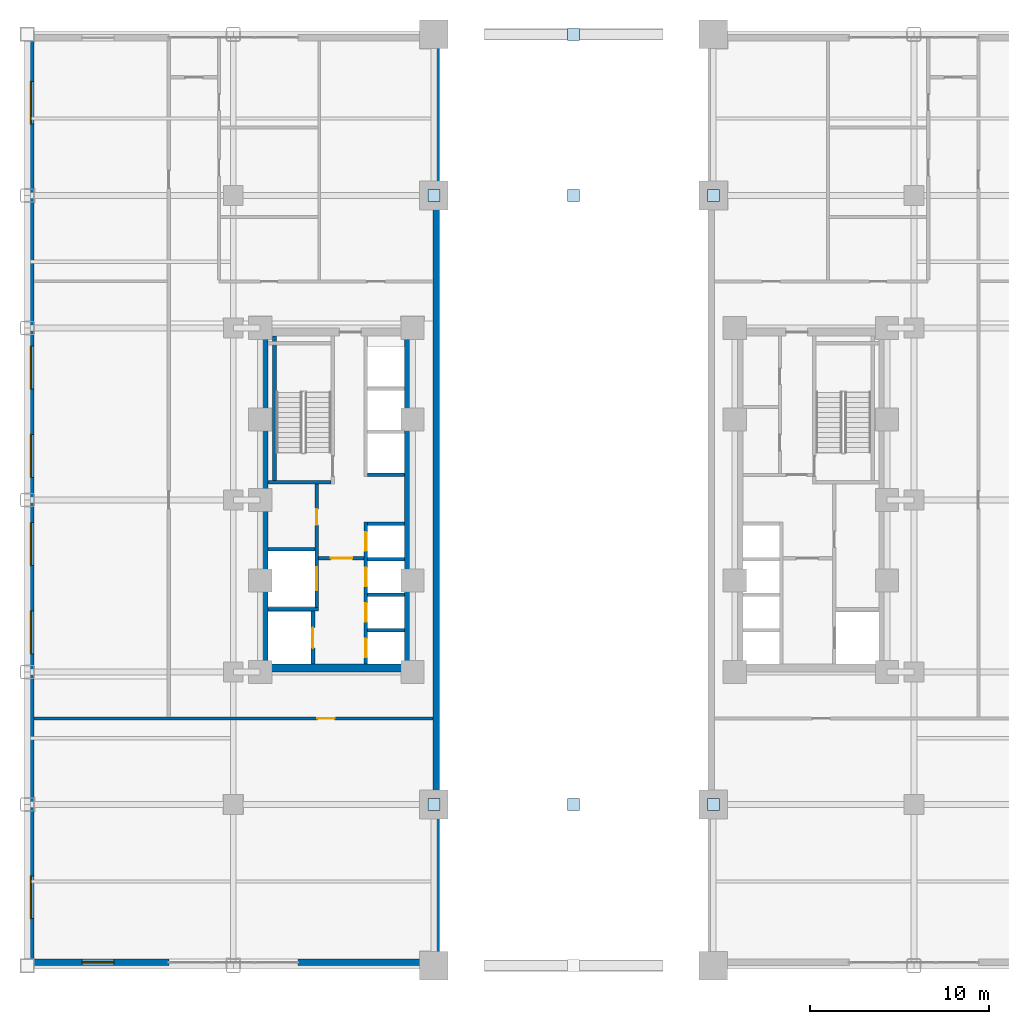
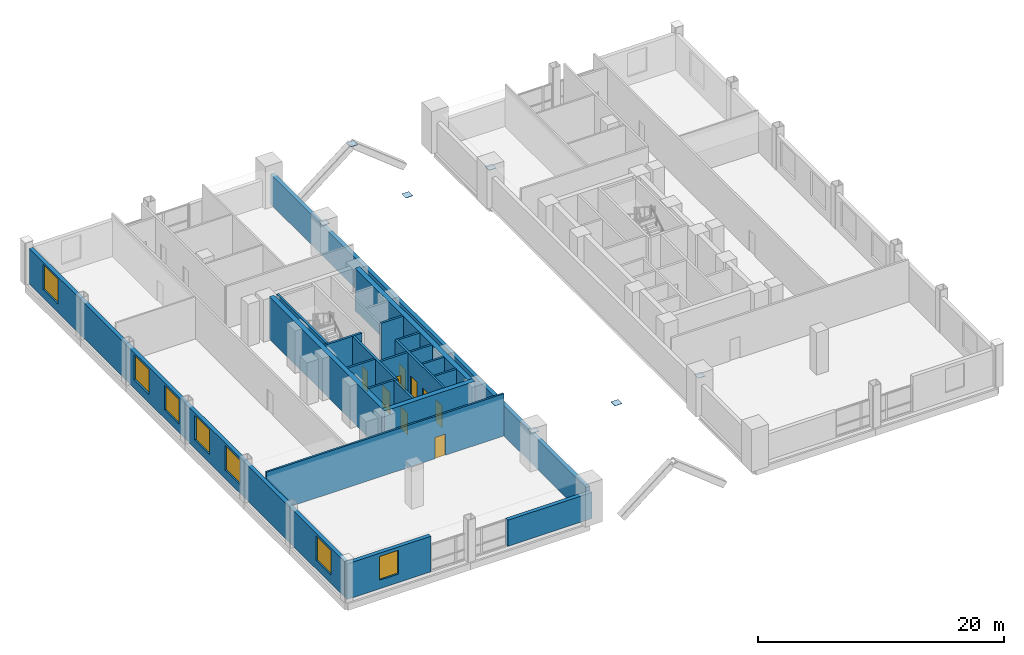
# One storey, part 3 of 14: 21 walls, 9 doors, 7 plates, 7 windows, 16 openings.
"""IFC4 building model written with IfcOpenShell, lengths in metres."""

import ifcopenshell
import ifcopenshell.guid

model = None  # the IFC model being written
_history = None  # IfcOwnerHistory: only IFC2X3 demands one
_inside = {}  # id of a spatial element -> (the spatial element, [elements in it])
_under = {}  # id of a project, library or spatial element -> (it, [spatial elements below it])
_declared = {}  # id of a project -> (the project, [libraries it declares])
_typed = {}  # id of a type object -> (the type object, [elements of that type])
_made_of = {}  # id of a material, layer set ... -> (it, [elements and type objects made of it])


def new_model(schema):
    """Start an empty IFC model of exactly this schema.

    Asked for "IFC4X3", IfcOpenShell would pick the latest addendum, in which some entities
    have other attributes; the version numbers below select the first issue.
    IFC2X3 requires an IfcOwnerHistory on every rooted entity: one is made here for all.
    """
    global model, _history
    if schema == "IFC4X3":
        model = ifcopenshell.file(schema_version=(4, 3, 0, 0))
    else:
        model = ifcopenshell.file(schema=schema)
    _inside.clear()
    _under.clear()
    _declared.clear()
    _typed.clear()
    _made_of.clear()
    _history = None
    if model.schema == "IFC2X3":
        org = make("IfcOrganization", Name="unknown")
        user = make(
            "IfcPersonAndOrganization",
            ThePerson=make("IfcPerson", FamilyName="unknown"),
            TheOrganization=org,
        )
        app = make(
            "IfcApplication",
            ApplicationDeveloper=org,
            Version="unknown",
            ApplicationFullName="unknown",
            ApplicationIdentifier="unknown",
        )
        _history = make(
            "IfcOwnerHistory",
            OwningUser=user,
            OwningApplication=app,
            ChangeAction="ADDED",
            CreationDate=0,
        )
    return model


def make(cls, **values):
    """One entity of the class cls with the attributes given. An attribute that is None is left unset."""
    return model.create_entity(
        cls, **{name: value for name, value in values.items() if value is not None}
    )


def rooted(cls, **values):
    """An entity with a GlobalId (a new one), such as an element, a storey or a relation."""
    return make(cls, GlobalId=ifcopenshell.guid.new(), OwnerHistory=_history, **values)


def si_unit(unit_type, name, prefix=None):
    """IfcSIUnit, for example si_unit("LENGTHUNIT", "METRE", prefix="MILLI")."""
    return make("IfcSIUnit", UnitType=unit_type, Prefix=prefix, Name=name)


def assignment(units):
    """IfcUnitAssignment: the units of a project."""
    return None if units is None else make("IfcUnitAssignment", Units=units)


def point(xyz):
    """IfcCartesianPoint."""
    return None if xyz is None else make("IfcCartesianPoint", Coordinates=xyz)


def direction(xyz):
    """IfcDirection."""
    return None if xyz is None else make("IfcDirection", DirectionRatios=xyz)


def frame(location, z_axis=None, x_axis=None):
    """IfcAxis2Placement3D, a coordinate frame: its origin and axes. An axis left out is left unset."""
    return make(
        "IfcAxis2Placement3D",
        Location=point(location),
        Axis=direction(z_axis),
        RefDirection=direction(x_axis),
    )


def frame_2d(location, x_axis=None):
    """IfcAxis2Placement2D, a coordinate frame in the plane: its origin and x axis."""
    return make(
        "IfcAxis2Placement2D", Location=point(location), RefDirection=direction(x_axis)
    )


def origin():
    """The frame at (0, 0, 0) with its axes left unset."""
    return frame((0.0, 0.0, 0.0))


def origin_2d():
    """The frame at (0, 0) in the plane with its x axis left unset."""
    return frame_2d((0.0, 0.0))


def place(relative_to, where):
    """IfcLocalPlacement: puts the frame where relative to a parent placement (None: the world)."""
    return make(
        "IfcLocalPlacement", PlacementRelTo=relative_to, RelativePlacement=where
    )


def context(
    kind, dimensions, precision=None, world=None, true_north=None, identifier=None
):
    """IfcGeometricRepresentationContext, for example the 3D "Model" context."""
    return make(
        "IfcGeometricRepresentationContext",
        ContextIdentifier=identifier,
        ContextType=kind,
        CoordinateSpaceDimension=dimensions,
        Precision=precision,
        WorldCoordinateSystem=world,
        TrueNorth=true_north,
    )


def subcontext(parent, identifier, kind, view, scale=None):
    """IfcGeometricRepresentationSubContext, for example "Body" below "Model"."""
    return make(
        "IfcGeometricRepresentationSubContext",
        ContextIdentifier=identifier,
        ContextType=kind,
        ParentContext=parent,
        TargetScale=scale,
        TargetView=view,
    )


def project(units=None, contexts=None):
    """IfcProject with its units and contexts."""
    return rooted(
        "IfcProject",
        Name="project",
        RepresentationContexts=contexts,
        UnitsInContext=assignment(units),
    )


def spatial(cls, under=None, at=None, **own):
    """A site, building, storey or space (cls), placed at a placement, below another one or the project."""
    s = rooted(cls, ObjectPlacement=at, **own)
    if under is not None:
        _under.setdefault(under.id(), (under, []))[1].append(s)
    return s


def profile(cls, at=None, kind="AREA", **sizes):
    """A parametric profile (cls). Its sizes go by their IFC names, for example OverallWidth=200.0."""
    return make(cls, ProfileType=kind, Position=at, **sizes)


def rectangle(**sizes):
    """IfcRectangleProfileDef."""
    return profile("IfcRectangleProfileDef", **sizes)


def extrude(swept, where, along, depth):
    """IfcExtrudedAreaSolid: the profile swept, set in the frame where, extruded along a direction by depth."""
    return make(
        "IfcExtrudedAreaSolid",
        SweptArea=swept,
        Position=where,
        ExtrudedDirection=direction(along),
        Depth=depth,
    )


def shape(context_of_items, identifier, shape_type, items):
    """IfcShapeRepresentation: the items that make up one representation, for example the "Body"."""
    return make(
        "IfcShapeRepresentation",
        ContextOfItems=context_of_items,
        RepresentationIdentifier=identifier,
        RepresentationType=shape_type,
        Items=items,
    )


def source(mapping_origin, context_of_items, identifier, shape_type, items):
    """IfcRepresentationMap: a shape defined once, which mapped items show again and again."""
    return make(
        "IfcRepresentationMap",
        MappingOrigin=mapping_origin,
        MappedRepresentation=shape(context_of_items, identifier, shape_type, items),
    )


def transform(
    local_origin,
    x_axis=None,
    y_axis=None,
    z_axis=None,
    scale=None,
    scale2=None,
    scale3=None,
    uniform=True,
):
    """IfcCartesianTransformationOperator3D, or its non-uniform kind. x_axis, y_axis, z_axis: its Axis1, 2, 3."""
    if uniform:
        return make(
            "IfcCartesianTransformationOperator3D",
            Axis1=direction(x_axis),
            Axis2=direction(y_axis),
            LocalOrigin=point(local_origin),
            Scale=scale,
            Axis3=direction(z_axis),
        )
    return make(
        "IfcCartesianTransformationOperator3DnonUniform",
        Axis1=direction(x_axis),
        Axis2=direction(y_axis),
        LocalOrigin=point(local_origin),
        Scale=scale,
        Axis3=direction(z_axis),
        Scale2=scale2,
        Scale3=scale3,
    )


def mapped(mapping_source, mapping_target):
    """IfcMappedItem: shows the shape of a source again, moved by a transform."""
    return make(
        "IfcMappedItem", MappingSource=mapping_source, MappingTarget=mapping_target
    )


def material(Name=None, Category=None):
    """IfcMaterial."""
    return make("IfcMaterial", Name=Name, Category=Category)


def layer(
    of_material, thickness, ventilated=None, Name=None, Category=None, Priority=None
):
    """IfcMaterialLayer: one layer of a wall or slab, of a material (None: an air gap)."""
    return make(
        "IfcMaterialLayer",
        Material=of_material,
        LayerThickness=thickness,
        IsVentilated=ventilated,
        Name=Name,
        Category=Category,
        Priority=Priority,
    )


def layer_set(layers, Name=None):
    """IfcMaterialLayerSet."""
    return make("IfcMaterialLayerSet", MaterialLayers=layers, LayerSetName=Name)


def made_of(thing, what):
    """Note that an element or type object is made of a material, layer set ...; save() writes the relation."""
    if what is not None:
        _made_of.setdefault(what.id(), (what, []))[1].append(thing)
    return thing


def type_object(cls, material=None, **own):
    """A type object (cls), such as IfcWallType, which elements share."""
    return made_of(rooted(cls, **own), material)


def type_shapes(of_type, sources):
    """Give a type object the sources (RepresentationMaps) that its elements show as mapped items."""
    of_type.RepresentationMaps = sources


def element(
    cls,
    number,
    at=None,
    inside=None,
    cuts=None,
    type_object=None,
    material=None,
    context=None,
    identifier="Body",
    shape_type=None,
    held_by="IfcProductDefinitionShape",
    body=None,
    shapes=None,
    **own,
):
    """One element of the class cls, such as IfcWall. Its Tag is "e" and its number.

    at: its placement. inside: the storey or other place that contains it. cuts: it is an
    opening in that element (IfcRelVoidsElement). A single representation is given by context,
    identifier, shape_type and body (its items); several are given by shapes. held_by: the class
    of the entity that holds the representations. save() writes the other relations.
    """
    e = rooted(cls, Tag="e%d" % number, ObjectPlacement=at, **own)
    if body is not None:
        shapes = [shape(context, identifier, shape_type, body)]
    if shapes is not None:
        e.Representation = make(held_by, Representations=shapes)
    if inside is not None:
        _inside.setdefault(inside.id(), (inside, []))[1].append(e)
    if cuts is not None:
        rooted(
            "IfcRelVoidsElement", RelatingBuildingElement=cuts, RelatedOpeningElement=e
        )
    if type_object is not None:
        _typed.setdefault(type_object.id(), (type_object, []))[1].append(e)
    return made_of(e, material)


def fill(opening, filler):
    """IfcRelFillsElement: the door or window that sits in an opening."""
    return rooted(
        "IfcRelFillsElement",
        RelatingOpeningElement=opening,
        RelatedBuildingElement=filler,
    )


def aggregate(whole, parts):
    """IfcRelAggregates: a whole, such as a stair, and the parts it consists of."""
    return rooted("IfcRelAggregates", RelatingObject=whole, RelatedObjects=parts)


def save(model, path):
    """Write the relations noted so far, then the file.

    IfcRelAggregates (storeys below a building ...), IfcRelContainedInSpatialStructure (elements
    in a storey), IfcRelDefinesByType, IfcRelAssociatesMaterial and IfcRelDeclares: one each for
    every whole, place, type object, material and project.
    """
    for whole, parts in _under.values():
        aggregate(whole, parts)
    for where, things in _inside.values():
        rooted(
            "IfcRelContainedInSpatialStructure",
            RelatedElements=things,
            RelatingStructure=where,
        )
    for kind, things in _typed.values():
        rooted("IfcRelDefinesByType", RelatedObjects=things, RelatingType=kind)
    for what, things in _made_of.values():
        rooted("IfcRelAssociatesMaterial", RelatedObjects=things, RelatingMaterial=what)
    for by, libraries in _declared.values():
        rooted("IfcRelDeclares", RelatingContext=by, RelatedDefinitions=libraries)
    model.write(path)


model = new_model("IFC4")

# Units and contexts
model_context = context("Model", 3, precision=1e-05, world=origin(), true_north=direction((0.0, 1.0)))
body_context = subcontext(model_context, "Body", "Model", "MODEL_VIEW")
ifc_project = project(units=[si_unit("LENGTHUNIT", "METRE"), si_unit("AREAUNIT", "SQUARE_METRE"), si_unit("VOLUMEUNIT", "CUBIC_METRE"), si_unit("PLANEANGLEUNIT", "RADIAN"), si_unit("MASSUNIT", "GRAM", prefix="KILO")], contexts=[model_context])

# Site, building, storey
site_placement = place(None, origin())
site = spatial("IfcSite", under=ifc_project, at=site_placement, CompositionType="ELEMENT")
building_placement = place(site_placement, origin())
building = spatial("IfcBuilding", under=site, at=building_placement, Name="Nuvemarco Arch Tower", CompositionType="ELEMENT")
storey_placement = place(building_placement, frame((0.0, 0.0, 13.800048828125)))
storey = spatial("IfcBuildingStorey", under=building, at=storey_placement, Name="L03", CompositionType="ELEMENT", Elevation=13.800048828125)

# Plates
ifc_material_1 = material(Name="Steel S355", Category="steel")
ifc_layer_1 = layer(ifc_material_1, 0.030029296875, Name="PL-CAP-650")
ifc_layer_set_1 = layer_set([ifc_layer_1], Name="Steel S355")
plate_type_1 = type_object("IfcPlateType", Name="PL-CAP-650", PredefinedType="SHEET", material=ifc_layer_set_1)
shared_shape_1 = source(origin(), body_context, "Body", "SweptSolid", [
    extrude(rectangle(XDim=0.669921875, YDim=0.669921875, at=origin_2d()), origin(), (0.0, 0.0, 1.0), 0.030029296875),
])
type_shapes(plate_type_1, [shared_shape_1])
for number, where, z_axis, x_axis, name in (
    (1, (-7.800048828125, -17.0, 3.384765625), (0.0, 0.0, 1.0), (1.0, 0.0, 0.0), "Hollow steel end-cap plate AT_DG_L04_-17.0_0_C0"),
    (2, (0.0, -17.0, 3.384765625), (0.0, 0.0, 1.0), (1.0, 0.0, 0.0), "Hollow steel end-cap plate AT_DG_L04_-17.0_1_C1"),
    (3, (7.800048828125, -17.0, 3.384765625), (0.0, 0.0, 1.0), (1.0, 0.0, 0.0), "Hollow steel end-cap plate AT_DG_L04_-17.0_3_C1"),
    (4, (-7.800048828125, 17.0, 3.384765625), (0.0, 0.0, 1.0), (1.0, 0.0, 0.0), "Hollow steel end-cap plate AT_DG_L04_+17.0_0_C0"),
    (5, (0.0, 17.0, 3.384765625), (0.0, 0.0, 1.0), (1.0, 0.0, 0.0), "Hollow steel end-cap plate AT_DG_L04_+17.0_1_C1"),
    (6, (7.800048828125, 17.0, 3.384765625), (0.0, 0.0, 1.0), (1.0, 0.0, 0.0), "Hollow steel end-cap plate AT_DG_L04_+17.0_3_C1"),
):
    element("IfcPlate", number, at=place(storey_placement, frame(where, z_axis=z_axis, x_axis=x_axis)), inside=storey, type_object=plate_type_1, Name=name, PredefinedType="SHEET", context=body_context, shape_type="MappedRepresentation", body=[
        mapped(shared_shape_1, transform((0.0, 0.0, 0.0), scale=1.0)),
    ])
ifc_layer_2 = layer(ifc_material_1, 0.030029296875, Name="PL-CAP-650-EXT")
ifc_layer_set_2 = layer_set([ifc_layer_2], Name="Steel S355")
plate_type_2 = type_object("IfcPlateType", Name="PL-CAP-650-EXT", PredefinedType="SHEET", material=ifc_layer_set_2)
shared_shape_2 = source(origin(), body_context, "Body", "SweptSolid", [
    extrude(rectangle(XDim=0.669921875, YDim=0.669921875, at=origin_2d()), origin(), (0.0, 0.0, 1.0), 0.030029296875),
])
type_shapes(plate_type_2, [shared_shape_2])
plate_placement = place(storey_placement, frame((0.0, 26.0, 2.98486328125), z_axis=(0.0, 0.0, 1.0), x_axis=(1.0, 0.0, 0.0)))
element("IfcPlate", 7, at=plate_placement, inside=storey, type_object=plate_type_2, Name="Hollow steel end-cap plate ARCH_RIB_N_2_C1", PredefinedType="SHEET", context=body_context, shape_type="MappedRepresentation", body=[
    mapped(shared_shape_2, transform((0.0, 0.0, 0.0), scale=1.0)),
])

# Wall, opening, window
ifc_material_2 = material(Name="Precast concrete C45/55", Category="concrete")
ifc_layer_3 = layer(ifc_material_2, 0.360107421875, Name="EW-POD-360")
ifc_layer_set_3 = layer_set([ifc_layer_3], Name="Precast concrete C45/55")
wall_type_1 = type_object("IfcWallType", Name="EW-POD-360", PredefinedType="STANDARD", material=ifc_layer_set_3)
wall_1_placement = place(storey_placement, frame((-30.5, -25.820068359375, 0.0), z_axis=(0.0, 0.0, 1.0), x_axis=(1.0, 0.0, 0.0)))
wall_1 = element("IfcWall", 8, at=wall_1_placement, inside=storey, type_object=wall_type_1, Name="L03 exterior precast pier wall south left", PredefinedType="STANDARD", context=body_context, shape_type="SweptSolid", body=[
    extrude(rectangle(XDim=7.89990234375, YDim=0.360107421875, at=frame_2d((3.949951171875, 0.0))), origin(), (0.0, 0.0, 1.0), 3.534912109375),
])
opening_1_placement = place(wall_1_placement, frame((3.050048828125, 0.0, 0.85009765625)))
opening_1 = element("IfcOpeningElement", 9, at=opening_1_placement, cuts=wall_1, Name="Opening WN-2", PredefinedType="OPENING", context=body_context, shape_type="SweptSolid", body=[
    extrude(rectangle(XDim=1.800048828125, YDim=2.35009765625, at=frame_2d((0.89990234375, 1.175048828125))), frame((0.0, 0.18994140625, 0.0), z_axis=(0.0, -1.0, 0.0), x_axis=(1.0, 0.0, 0.0)), (0.0, 0.0, 1.0), 0.380126953125),
])
ifc_material_3 = material(Name="Insulated solar-control glass", Category="glass")
window_type_1 = type_object("IfcWindowType", Name="WN-POD-1800x2350", PartitioningType="DOUBLE_PANEL_VERTICAL", PredefinedType="WINDOW", material=ifc_material_3)
shared_shape_3 = source(origin(), body_context, "Body", "SweptSolid", [
    extrude(rectangle(XDim=1.800048828125, YDim=2.35009765625, at=frame_2d((0.89990234375, 1.175048828125))), frame((0.0, 0.030029296875, 0.0), z_axis=(0.0, -1.0, 0.0), x_axis=(1.0, 0.0, 0.0)), (0.0, 0.0, 1.0), 0.06005859375),
])
type_shapes(window_type_1, [shared_shape_3])
window_1_placement = place(opening_1_placement, origin())
window_1 = element("IfcWindow", 10, at=window_1_placement, inside=storey, type_object=window_type_1, Name="L03 punched facade window 1", OverallHeight=2.35009765625, OverallWidth=1.800048828125, PartitioningType="SINGLE_PANEL", PredefinedType="WINDOW", context=body_context, shape_type="MappedRepresentation", body=[
    mapped(shared_shape_3, transform((0.0, 0.0, 0.0), scale=1.0)),
])
fill(opening_1, window_1)

# Walls
wall_2_placement = place(storey_placement, frame((-15.39990234375, -25.820068359375, 0.0), z_axis=(0.0, 0.0, 1.0), x_axis=(1.0, 0.0, 0.0)))
element("IfcWall", 11, at=wall_2_placement, inside=storey, type_object=wall_type_1, Name="L03 exterior precast pier wall south right", PredefinedType="STANDARD", context=body_context, shape_type="SweptSolid", body=[
    extrude(rectangle(XDim=7.89990234375, YDim=0.360107421875, at=frame_2d((3.949951171875, 0.0))), origin(), (0.0, 0.0, 1.0), 2.5849609375),
])
wall_3_placement = place(storey_placement, frame((-7.679931640625, -25.64404296875, 0.0), z_axis=(0.0, 0.0, 1.0), x_axis=(0.0, 1.0, 0.0)))
element("IfcWall", 12, at=wall_3_placement, inside=storey, type_object=wall_type_1, Name="L03 exterior precast facade wall 2", PredefinedType="STANDARD", context=body_context, shape_type="SweptSolid", body=[
    extrude(rectangle(XDim=51.2880859375, YDim=0.360107421875, at=frame_2d((25.64404296875, 0.0))), origin(), (0.0, 0.0, 1.0), 2.98486328125),
])

# Wall, openings, windows
wall_4_placement = place(storey_placement, frame((-30.320068359375, -25.64404296875, 0.0), z_axis=(0.0, 0.0, 1.0), x_axis=(0.0, 1.0, 0.0)))
wall_4 = element("IfcWall", 13, at=wall_4_placement, inside=storey, type_object=wall_type_1, Name="L03 exterior precast facade wall 4", PredefinedType="STANDARD", context=body_context, shape_type="SweptSolid", body=[
    extrude(rectangle(XDim=51.2880859375, YDim=0.360107421875, at=frame_2d((25.64404296875, 0.0))), origin(), (0.0, 0.0, 1.0), 3.534912109375),
])
opening_2_placement = place(wall_4_placement, frame((2.264404296875, 0.0, 0.85009765625)))
opening_2 = element("IfcOpeningElement", 14, at=opening_2_placement, cuts=wall_4, Name="Opening WN-1", PredefinedType="OPENING", context=body_context, shape_type="SweptSolid", body=[
    extrude(rectangle(XDim=2.39990234375, YDim=2.449951171875, at=frame_2d((1.199951171875, 1.22509765625))), frame((0.0, 0.18994140625, 0.0), z_axis=(0.0, -1.0, 0.0), x_axis=(1.0, 0.0, 0.0)), (0.0, 0.0, 1.0), 0.380126953125),
])
opening_3_placement = place(wall_4_placement, frame((17.05078125, 0.0, 0.85009765625)))
opening_3 = element("IfcOpeningElement", 15, at=opening_3_placement, cuts=wall_4, Name="Opening WN-1", PredefinedType="OPENING", context=body_context, shape_type="SweptSolid", body=[
    extrude(rectangle(XDim=2.39990234375, YDim=2.449951171875, at=frame_2d((1.199951171875, 1.22509765625))), frame((0.0, 0.18994140625, 0.0), z_axis=(0.0, -1.0, 0.0), x_axis=(1.0, 0.0, 0.0)), (0.0, 0.0, 1.0), 0.380126953125),
])
opening_4_placement = place(wall_4_placement, frame((21.9794921875, 0.0, 0.85009765625)))
opening_4 = element("IfcOpeningElement", 16, at=opening_4_placement, cuts=wall_4, Name="Opening WN-1", PredefinedType="OPENING", context=body_context, shape_type="SweptSolid", body=[
    extrude(rectangle(XDim=2.39990234375, YDim=2.449951171875, at=frame_2d((1.199951171875, 1.22509765625))), frame((0.0, 0.18994140625, 0.0), z_axis=(0.0, -1.0, 0.0), x_axis=(1.0, 0.0, 0.0)), (0.0, 0.0, 1.0), 0.380126953125),
])
opening_5_placement = place(wall_4_placement, frame((26.908447265625, 0.0, 0.85009765625)))
opening_5 = element("IfcOpeningElement", 17, at=opening_5_placement, cuts=wall_4, Name="Opening WN-1", PredefinedType="OPENING", context=body_context, shape_type="SweptSolid", body=[
    extrude(rectangle(XDim=2.39990234375, YDim=2.449951171875, at=frame_2d((1.199951171875, 1.22509765625))), frame((0.0, 0.18994140625, 0.0), z_axis=(0.0, -1.0, 0.0), x_axis=(1.0, 0.0, 0.0)), (0.0, 0.0, 1.0), 0.380126953125),
])
opening_6_placement = place(wall_4_placement, frame((31.837158203125, 0.0, 0.85009765625)))
opening_6 = element("IfcOpeningElement", 18, at=opening_6_placement, cuts=wall_4, Name="Opening WN-1", PredefinedType="OPENING", context=body_context, shape_type="SweptSolid", body=[
    extrude(rectangle(XDim=2.39990234375, YDim=2.449951171875, at=frame_2d((1.199951171875, 1.22509765625))), frame((0.0, 0.18994140625, 0.0), z_axis=(0.0, -1.0, 0.0), x_axis=(1.0, 0.0, 0.0)), (0.0, 0.0, 1.0), 0.380126953125),
])
opening_7_placement = place(wall_4_placement, frame((46.62353515625, 0.0, 0.85009765625)))
opening_7 = element("IfcOpeningElement", 19, at=opening_7_placement, cuts=wall_4, Name="Opening WN-1", PredefinedType="OPENING", context=body_context, shape_type="SweptSolid", body=[
    extrude(rectangle(XDim=2.39990234375, YDim=2.449951171875, at=frame_2d((1.199951171875, 1.22509765625))), frame((0.0, 0.18994140625, 0.0), z_axis=(0.0, -1.0, 0.0), x_axis=(1.0, 0.0, 0.0)), (0.0, 0.0, 1.0), 0.380126953125),
])
window_type_2 = type_object("IfcWindowType", Name="WN-POD-2400x2450", PartitioningType="DOUBLE_PANEL_VERTICAL", PredefinedType="WINDOW", material=ifc_material_3)
shared_shape_4 = source(origin(), body_context, "Body", "SweptSolid", [
    extrude(rectangle(XDim=2.39990234375, YDim=2.449951171875, at=frame_2d((1.199951171875, 1.22509765625))), frame((0.0, 0.030029296875, 0.0), z_axis=(0.0, -1.0, 0.0), x_axis=(1.0, 0.0, 0.0)), (0.0, 0.0, 1.0), 0.06005859375),
])
type_shapes(window_type_2, [shared_shape_4])
window_2_placement = place(opening_2_placement, origin())
window_2 = element("IfcWindow", 20, at=window_2_placement, inside=storey, type_object=window_type_2, Name="L03 punched facade window 1", OverallHeight=2.449951171875, OverallWidth=2.39990234375, PartitioningType="SINGLE_PANEL", PredefinedType="WINDOW", context=body_context, shape_type="MappedRepresentation", body=[
    mapped(shared_shape_4, transform((0.0, 0.0, 0.0), scale=1.0)),
])
fill(opening_2, window_2)
window_3_placement = place(opening_3_placement, origin())
window_3 = element("IfcWindow", 21, at=window_3_placement, inside=storey, type_object=window_type_2, Name="L03 punched facade window 4", OverallHeight=2.449951171875, OverallWidth=2.39990234375, PartitioningType="SINGLE_PANEL", PredefinedType="WINDOW", context=body_context, shape_type="MappedRepresentation", body=[
    mapped(shared_shape_4, transform((0.0, 0.0, 0.0), scale=1.0)),
])
fill(opening_3, window_3)
window_4_placement = place(opening_4_placement, origin())
window_4 = element("IfcWindow", 22, at=window_4_placement, inside=storey, type_object=window_type_2, Name="L03 punched facade window 5", OverallHeight=2.449951171875, OverallWidth=2.39990234375, PartitioningType="SINGLE_PANEL", PredefinedType="WINDOW", context=body_context, shape_type="MappedRepresentation", body=[
    mapped(shared_shape_4, transform((0.0, 0.0, 0.0), scale=1.0)),
])
fill(opening_4, window_4)
window_5_placement = place(opening_5_placement, origin())
window_5 = element("IfcWindow", 23, at=window_5_placement, inside=storey, type_object=window_type_2, Name="L03 punched facade window 6", OverallHeight=2.449951171875, OverallWidth=2.39990234375, PartitioningType="SINGLE_PANEL", PredefinedType="WINDOW", context=body_context, shape_type="MappedRepresentation", body=[
    mapped(shared_shape_4, transform((0.0, 0.0, 0.0), scale=1.0)),
])
fill(opening_5, window_5)
window_6_placement = place(opening_6_placement, origin())
window_6 = element("IfcWindow", 24, at=window_6_placement, inside=storey, type_object=window_type_2, Name="L03 punched facade window 7", OverallHeight=2.449951171875, OverallWidth=2.39990234375, PartitioningType="SINGLE_PANEL", PredefinedType="WINDOW", context=body_context, shape_type="MappedRepresentation", body=[
    mapped(shared_shape_4, transform((0.0, 0.0, 0.0), scale=1.0)),
])
fill(opening_6, window_6)
window_7_placement = place(opening_7_placement, origin())
window_7 = element("IfcWindow", 25, at=window_7_placement, inside=storey, type_object=window_type_2, Name="L03 punched facade window 10", OverallHeight=2.449951171875, OverallWidth=2.39990234375, PartitioningType="SINGLE_PANEL", PredefinedType="WINDOW", context=body_context, shape_type="MappedRepresentation", body=[
    mapped(shared_shape_4, transform((0.0, 0.0, 0.0), scale=1.0)),
])
fill(opening_7, window_7)

# Walls
ifc_material_4 = material(Name="Concrete C60/75", Category="concrete")
ifc_layer_4 = layer(ifc_material_4, 0.449951171875, Name="WL-CORE-450")
ifc_layer_set_4 = layer_set([ifc_layer_4], Name="Concrete C60/75")
wall_type_2 = type_object("IfcWallType", Name="WL-CORE-450", PredefinedType="SHEAR", material=ifc_layer_set_4)
wall_5_placement = place(storey_placement, frame((-17.5, -9.375, 0.0), z_axis=(0.0, 0.0, 1.0), x_axis=(1.0, 0.0, 0.0)))
element("IfcWall", 26, at=wall_5_placement, inside=storey, type_object=wall_type_2, Name="L03 W-core shear wall S", PredefinedType="SHEAR", context=body_context, shape_type="SweptSolid", body=[
    extrude(rectangle(XDim=8.5, YDim=0.449951171875, at=frame_2d((4.25, 0.0))), origin(), (0.0, 0.0, 1.0), 4.199951171875),
])
for number, where, z_axis, x_axis, name in (
    (27, (-17.27490234375, -9.155029296875, 0.0), (0.0, 0.0, 1.0), (0.0, 1.0, 0.0), "L03 W-core shear wall W"),
    (28, (-9.22509765625, -9.155029296875, 0.0), (0.0, 0.0, 1.0), (0.0, 1.0, 0.0), "L03 W-core shear wall E"),
):
    element("IfcWall", number, at=place(storey_placement, frame(where, z_axis=z_axis, x_axis=x_axis)), inside=storey, type_object=wall_type_2, Name=name, PredefinedType="SHEAR", context=body_context, shape_type="SweptSolid", body=[
        extrude(rectangle(XDim=18.31005859375, YDim=0.449951171875, at=frame_2d((9.155029296875, 0.0))), origin(), (0.0, 0.0, 1.0), 4.199951171875),
    ])

# Wall, opening, door
ifc_material_5 = material(Name="Fire-rated gypsum drywall partition")
ifc_layer_5 = layer(ifc_material_5, 0.179931640625, Name="WL-CORR-180")
ifc_layer_set_5 = layer_set([ifc_layer_5], Name="Fire-rated gypsum drywall partition")
wall_type_3 = type_object("IfcWallType", Name="WL-CORR-180", PredefinedType="PARTITIONING", material=ifc_layer_set_5)
wall_6_placement = place(storey_placement, frame((-30.139892578125, -12.199951171875, 0.0), z_axis=(0.0, 0.0, 1.0), x_axis=(1.0, 0.0, 0.0)))
wall_6 = element("IfcWall", 29, at=wall_6_placement, inside=storey, type_object=wall_type_3, Name="L03 interior wall IW-L03-001", PredefinedType="PARTITIONING", context=body_context, shape_type="SweptSolid", body=[
    extrude(rectangle(XDim=22.27978515625, YDim=0.179931640625, at=frame_2d((11.139892578125, 0.0))), origin(), (0.0, 0.0, 1.0), 4.18994140625),
])
opening_8_placement = place(wall_6_placement, frame((15.830078125, 0.0, 0.0)))
opening_8 = element("IfcOpeningElement", 30, at=opening_8_placement, cuts=wall_6, Name="Opening FD-5", PredefinedType="OPENING", context=body_context, shape_type="SweptSolid", body=[
    extrude(rectangle(XDim=0.9599609375, YDim=2.10009765625, at=frame_2d((0.47998046875, 1.050048828125))), frame((0.0, 0.099853515625, 0.0), z_axis=(0.0, -1.0, 0.0), x_axis=(1.0, 0.0, 0.0)), (0.0, 0.0, 1.0), 0.199951171875),
])
ifc_material_6 = material(Name="Timber fire door", Category="wood")
door_type_1 = type_object("IfcDoorType", Name="DR-CORR-FD", OperationType="NOTDEFINED", PredefinedType="DOOR", material=ifc_material_6)
shared_shape_5 = source(origin(), body_context, "Body", "SweptSolid", [
    extrude(rectangle(XDim=0.9599609375, YDim=2.10009765625, at=frame_2d((0.47998046875, 1.050048828125))), frame((0.0, 0.02490234375, 0.0), z_axis=(0.0, -1.0, 0.0), x_axis=(1.0, 0.0, 0.0)), (0.0, 0.0, 1.0), 0.050048828125),
])
type_shapes(door_type_1, [shared_shape_5])
door_1_placement = place(opening_8_placement, origin())
door_1 = element("IfcDoor", 31, at=door_1_placement, inside=storey, type_object=door_type_1, Name="L03 door DR-L03-POD_WEXH", OperationType="SINGLE_SWING_LEFT", OverallHeight=2.10009765625, OverallWidth=0.9599609375, PredefinedType="DOOR", context=body_context, shape_type="MappedRepresentation", body=[
    mapped(shared_shape_5, transform((0.0, 0.0, 0.0), scale=1.0)),
])
fill(opening_8, door_1)

# Walls
ifc_material_7 = material(Name="Concrete C50/60", Category="concrete")
ifc_layer_6 = layer(ifc_material_7, 0.199951171875, Name="WL-SHAFT-220")
ifc_layer_set_6 = layer_set([ifc_layer_6], Name="Concrete C50/60")
wall_type_4 = type_object("IfcWallType", Name="WL-SHAFT-220", PredefinedType="SHEAR", material=ifc_layer_set_6)
wall_7_placement = place(storey_placement, frame((-17.054931640625, 1.0, 0.0), z_axis=(0.0, 0.0, 1.0), x_axis=(1.0, 0.0, 0.0)))
element("IfcWall", 32, at=wall_7_placement, inside=storey, type_object=wall_type_4, Name="L03 structural shaft wall SW-L03-W-ST1S", PredefinedType="SHEAR", context=body_context, shape_type="SweptSolid", body=[
    extrude(rectangle(XDim=3.52001953125, YDim=0.199951171875, at=frame_2d((1.760009765625, 0.0))), origin(), (0.0, 0.0, 1.0), 4.199951171875),
])
wall_8_placement = place(storey_placement, frame((-16.699951171875, 1.094970703125, 0.0), z_axis=(0.0, 0.0, 1.0), x_axis=(0.0, 1.0, 0.0)))
element("IfcWall", 33, at=wall_8_placement, inside=storey, type_object=wall_type_4, Name="L03 structural shaft wall SW-L03-W-ST1W", PredefinedType="SHEAR", context=body_context, shape_type="SweptSolid", body=[
    extrude(rectangle(XDim=8.06005859375, YDim=0.199951171875, at=frame_2d((4.030029296875, 0.0))), origin(), (0.0, 0.0, 1.0), 4.199951171875),
])

# Wall, opening, door
wall_9_placement = place(storey_placement, frame((-14.550048828125, -9.155029296875, 0.0), z_axis=(0.0, 0.0, 1.0), x_axis=(0.0, 1.0, 0.0)))
wall_9 = element("IfcWall", 34, at=wall_9_placement, inside=storey, type_object=wall_type_4, Name="L03 structural shaft wall SW-L03-W-SHE", PredefinedType="SHEAR", context=body_context, shape_type="SweptSolid", body=[
    extrude(rectangle(XDim=2.9599609375, YDim=0.199951171875, at=frame_2d((1.47998046875, 0.0))), origin(), (0.0, 0.0, 1.0), 4.199951171875),
])
opening_9_placement = place(wall_9_placement, frame((0.8798828125, 0.0, 0.0)))
opening_9 = element("IfcOpeningElement", 35, at=opening_9_placement, cuts=wall_9, Name="Opening LD-2", PredefinedType="OPENING", context=body_context, shape_type="SweptSolid", body=[
    extrude(rectangle(XDim=1.14990234375, YDim=2.14990234375, at=frame_2d((0.574951171875, 1.074951171875))), frame((0.0, 0.10986328125, 0.0), z_axis=(0.0, -1.0, 0.0), x_axis=(1.0, 0.0, 0.0)), (0.0, 0.0, 1.0), 0.219970703125),
])
ifc_material_8 = material(Name="Stainless steel lift door", Category="steel")
door_type_2 = type_object("IfcDoorType", Name="DR-LIFT-FIRE", OperationType="DOUBLE_DOOR_SLIDING", PredefinedType="DOOR", material=ifc_material_8)
shared_shape_6 = source(origin(), body_context, "Body", "SweptSolid", [
    extrude(rectangle(XDim=1.14990234375, YDim=2.14990234375, at=frame_2d((0.574951171875, 1.074951171875))), frame((0.0, 0.02490234375, 0.0), z_axis=(0.0, -1.0, 0.0), x_axis=(1.0, 0.0, 0.0)), (0.0, 0.0, 1.0), 0.050048828125),
])
type_shapes(door_type_2, [shared_shape_6])
door_2_placement = place(opening_9_placement, origin())
door_2 = element("IfcDoor", 36, at=door_2_placement, inside=storey, type_object=door_type_2, Name="L03 Lift landing sliding door FFL-1", OperationType="DOUBLE_DOOR_SLIDING", OverallHeight=2.14990234375, OverallWidth=1.14990234375, PredefinedType="DOOR", context=body_context, shape_type="MappedRepresentation", body=[
    mapped(shared_shape_6, transform((0.0, 0.0, 0.0), scale=1.0)),
])
fill(opening_9, door_2)

# Wall, openings, doors
wall_10_placement = place(storey_placement, frame((-14.35009765625, -6.199951171875, 0.0), z_axis=(0.0, 0.0, 1.0), x_axis=(0.0, 1.0, 0.0)))
wall_10 = element("IfcWall", 37, at=wall_10_placement, inside=storey, type_object=wall_type_4, Name="L03 structural shaft wall SW-L03-W-SVE", PredefinedType="SHEAR", context=body_context, shape_type="SweptSolid", body=[
    extrude(rectangle(XDim=7.10498046875, YDim=0.199951171875, at=frame_2d((3.552490234375, 0.0))), origin(), (0.0, 0.0, 1.0), 4.199951171875),
])
opening_10_placement = place(wall_10_placement, frame((5.68994140625, 0.0, 0.0), z_axis=(0.0, 0.0, 1.0), x_axis=(-1.0, 0.0, 0.0)))
opening_10 = element("IfcOpeningElement", 38, at=opening_10_placement, cuts=wall_10, Name="Opening FD-4", PredefinedType="OPENING", context=body_context, shape_type="SweptSolid", body=[
    extrude(rectangle(XDim=0.8798828125, YDim=2.10009765625, at=frame_2d((0.43994140625, 1.050048828125))), frame((0.0, 0.10986328125, 0.0), z_axis=(0.0, -1.0, 0.0), x_axis=(1.0, 0.0, 0.0)), (0.0, 0.0, 1.0), 0.219970703125),
])
opening_11_placement = place(wall_10_placement, frame((1.14990234375, 0.0, 0.0)))
opening_11 = element("IfcOpeningElement", 39, at=opening_11_placement, cuts=wall_10, Name="Opening LD-3", PredefinedType="OPENING", context=body_context, shape_type="SweptSolid", body=[
    extrude(rectangle(XDim=1.300048828125, YDim=2.199951171875, at=frame_2d((0.64990234375, 1.10009765625))), frame((0.0, 0.10986328125, 0.0), z_axis=(0.0, -1.0, 0.0), x_axis=(1.0, 0.0, 0.0)), (0.0, 0.0, 1.0), 0.219970703125),
])
ifc_material_9 = material(Name="Anodised steel fire door", Category="steel")
door_type_3 = type_object("IfcDoorType", Name="DR-RISER-FD", OperationType="NOTDEFINED", PredefinedType="DOOR", material=ifc_material_9)
shared_shape_7 = source(origin(), body_context, "Body", "SweptSolid", [
    extrude(rectangle(XDim=0.8798828125, YDim=2.10009765625, at=frame_2d((0.43994140625, 1.050048828125))), frame((0.0, 0.02490234375, 0.0), z_axis=(0.0, -1.0, 0.0), x_axis=(1.0, 0.0, 0.0)), (0.0, 0.0, 1.0), 0.050048828125),
])
type_shapes(door_type_3, [shared_shape_7])
door_3_placement = place(opening_10_placement, origin())
door_3 = element("IfcDoor", 40, at=door_3_placement, inside=storey, type_object=door_type_3, Name="L03 door FD-L03-WRIS", OperationType="SINGLE_SWING_LEFT", OverallHeight=2.10009765625, OverallWidth=0.8798828125, PredefinedType="DOOR", context=body_context, shape_type="MappedRepresentation", body=[
    mapped(shared_shape_7, transform((0.0, 0.0, 0.0), scale=1.0)),
])
fill(opening_10, door_3)
door_type_4 = type_object("IfcDoorType", Name="DR-LIFT-SERV", OperationType="DOUBLE_DOOR_SLIDING", PredefinedType="DOOR", material=ifc_material_8)
shared_shape_8 = source(origin(), body_context, "Body", "SweptSolid", [
    extrude(rectangle(XDim=1.300048828125, YDim=2.199951171875, at=frame_2d((0.64990234375, 1.10009765625))), frame((0.0, 0.02490234375, 0.0), z_axis=(0.0, -1.0, 0.0), x_axis=(1.0, 0.0, 0.0)), (0.0, 0.0, 1.0), 0.050048828125),
])
type_shapes(door_type_4, [shared_shape_8])
door_4_placement = place(opening_11_placement, origin())
door_4 = element("IfcDoor", 41, at=door_4_placement, inside=storey, type_object=door_type_4, Name="L03 Lift landing sliding door SVL-1", OperationType="DOUBLE_DOOR_SLIDING", OverallHeight=2.199951171875, OverallWidth=1.300048828125, PredefinedType="DOOR", context=body_context, shape_type="MappedRepresentation", body=[
    mapped(shared_shape_8, transform((0.0, 0.0, 0.0), scale=1.0)),
])
fill(opening_11, door_4)

# Walls
wall_11_placement = place(storey_placement, frame((-17.054931640625, -6.10009765625, 0.0), z_axis=(0.0, 0.0, 1.0), x_axis=(1.0, 0.0, 0.0)))
element("IfcWall", 42, at=wall_11_placement, inside=storey, type_object=wall_type_4, Name="L03 structural shaft wall SW-L03-W-SH1", PredefinedType="SHEAR", context=body_context, shape_type="SweptSolid", body=[
    extrude(rectangle(XDim=2.804931640625, YDim=0.199951171875, at=frame_2d((1.40234375, 0.0))), origin(), (0.0, 0.0, 1.0), 4.199951171875),
])
wall_12_placement = place(storey_placement, frame((-17.054931640625, -2.75, 0.0), z_axis=(0.0, 0.0, 1.0), x_axis=(1.0, 0.0, 0.0)))
element("IfcWall", 43, at=wall_12_placement, inside=storey, type_object=wall_type_4, Name="L03 structural shaft wall SW-L03-W-SH2", PredefinedType="SHEAR", context=body_context, shape_type="SweptSolid", body=[
    extrude(rectangle(XDim=2.60986328125, YDim=0.199951171875, at=frame_2d((1.304931640625, 0.0))), origin(), (0.0, 0.0, 1.0), 4.199951171875),
])

# Wall, openings, doors
wall_13_placement = place(storey_placement, frame((-11.60009765625, -9.155029296875, 0.0), z_axis=(0.0, 0.0, 1.0), x_axis=(0.0, 1.0, 0.0)))
wall_13 = element("IfcWall", 44, at=wall_13_placement, inside=storey, type_object=wall_type_4, Name="L03 structural shaft wall SW-L03-W-PLW", PredefinedType="SHEAR", context=body_context, shape_type="SweptSolid", body=[
    extrude(rectangle(XDim=7.925048828125, YDim=0.199951171875, at=frame_2d((3.96240234375, 0.0))), origin(), (0.0, 0.0, 1.0), 4.199951171875),
])
opening_12_placement = place(wall_13_placement, frame((0.3701171875, 0.0, 0.0)))
opening_12 = element("IfcOpeningElement", 45, at=opening_12_placement, cuts=wall_13, Name="Opening LD-1", PredefinedType="OPENING", context=body_context, shape_type="SweptSolid", body=[
    extrude(rectangle(XDim=1.050048828125, YDim=2.14990234375, at=frame_2d((0.52490234375, 1.074951171875))), frame((0.0, 0.10986328125, 0.0), z_axis=(0.0, -1.0, 0.0), x_axis=(1.0, 0.0, 0.0)), (0.0, 0.0, 1.0), 0.219970703125),
])
opening_13_placement = place(wall_13_placement, frame((2.35009765625, 0.0, 0.0)))
opening_13 = element("IfcOpeningElement", 46, at=opening_13_placement, cuts=wall_13, Name="Opening LD-1", PredefinedType="OPENING", context=body_context, shape_type="SweptSolid", body=[
    extrude(rectangle(XDim=1.050048828125, YDim=2.14990234375, at=frame_2d((0.52490234375, 1.074951171875))), frame((0.0, 0.10986328125, 0.0), z_axis=(0.0, -1.0, 0.0), x_axis=(1.0, 0.0, 0.0)), (0.0, 0.0, 1.0), 0.219970703125),
])
opening_14_placement = place(wall_13_placement, frame((4.330078125, 0.0, 0.0)))
opening_14 = element("IfcOpeningElement", 47, at=opening_14_placement, cuts=wall_13, Name="Opening LD-1", PredefinedType="OPENING", context=body_context, shape_type="SweptSolid", body=[
    extrude(rectangle(XDim=1.050048828125, YDim=2.14990234375, at=frame_2d((0.52490234375, 1.074951171875))), frame((0.0, 0.10986328125, 0.0), z_axis=(0.0, -1.0, 0.0), x_axis=(1.0, 0.0, 0.0)), (0.0, 0.0, 1.0), 0.219970703125),
])
opening_15_placement = place(wall_13_placement, frame((6.31005859375, 0.0, 0.0)))
opening_15 = element("IfcOpeningElement", 48, at=opening_15_placement, cuts=wall_13, Name="Opening LD-1", PredefinedType="OPENING", context=body_context, shape_type="SweptSolid", body=[
    extrude(rectangle(XDim=1.050048828125, YDim=2.14990234375, at=frame_2d((0.52490234375, 1.074951171875))), frame((0.0, 0.10986328125, 0.0), z_axis=(0.0, -1.0, 0.0), x_axis=(1.0, 0.0, 0.0)), (0.0, 0.0, 1.0), 0.219970703125),
])
door_type_5 = type_object("IfcDoorType", Name="DR-LIFT-PASS", OperationType="DOUBLE_DOOR_SLIDING", PredefinedType="DOOR", material=ifc_material_8)
shared_shape_9 = source(origin(), body_context, "Body", "SweptSolid", [
    extrude(rectangle(XDim=1.050048828125, YDim=2.14990234375, at=frame_2d((0.52490234375, 1.074951171875))), frame((0.0, 0.02490234375, 0.0), z_axis=(0.0, -1.0, 0.0), x_axis=(1.0, 0.0, 0.0)), (0.0, 0.0, 1.0), 0.050048828125),
])
type_shapes(door_type_5, [shared_shape_9])
door_5_placement = place(opening_12_placement, origin())
door_5 = element("IfcDoor", 49, at=door_5_placement, inside=storey, type_object=door_type_5, Name="L03 Lift landing sliding door PL-1", OperationType="DOUBLE_DOOR_SLIDING", OverallHeight=2.14990234375, OverallWidth=1.050048828125, PredefinedType="DOOR", context=body_context, shape_type="MappedRepresentation", body=[
    mapped(shared_shape_9, transform((0.0, 0.0, 0.0), scale=1.0)),
])
fill(opening_12, door_5)
door_6_placement = place(opening_13_placement, origin())
door_6 = element("IfcDoor", 50, at=door_6_placement, inside=storey, type_object=door_type_5, Name="L03 Lift landing sliding door PL-2", OperationType="DOUBLE_DOOR_SLIDING", OverallHeight=2.14990234375, OverallWidth=1.050048828125, PredefinedType="DOOR", context=body_context, shape_type="MappedRepresentation", body=[
    mapped(shared_shape_9, transform((0.0, 0.0, 0.0), scale=1.0)),
])
fill(opening_13, door_6)
door_7_placement = place(opening_14_placement, origin())
door_7 = element("IfcDoor", 51, at=door_7_placement, inside=storey, type_object=door_type_5, Name="L03 Lift landing sliding door PL-3", OperationType="DOUBLE_DOOR_SLIDING", OverallHeight=2.14990234375, OverallWidth=1.050048828125, PredefinedType="DOOR", context=body_context, shape_type="MappedRepresentation", body=[
    mapped(shared_shape_9, transform((0.0, 0.0, 0.0), scale=1.0)),
])
fill(opening_14, door_7)
door_8_placement = place(opening_15_placement, origin())
door_8 = element("IfcDoor", 52, at=door_8_placement, inside=storey, type_object=door_type_5, Name="L03 Lift landing sliding door PL-4", OperationType="DOUBLE_DOOR_SLIDING", OverallHeight=2.14990234375, OverallWidth=1.050048828125, PredefinedType="DOOR", context=body_context, shape_type="MappedRepresentation", body=[
    mapped(shared_shape_9, transform((0.0, 0.0, 0.0), scale=1.0)),
])
fill(opening_15, door_8)

# Wall, opening, door
wall_14_placement = place(storey_placement, frame((-14.2548828125, -3.25, 0.0), z_axis=(0.0, 0.0, 1.0), x_axis=(1.0, 0.0, 0.0)))
wall_14 = element("IfcWall", 53, at=wall_14_placement, inside=storey, type_object=wall_type_4, Name="L03 structural shaft wall SW-L03-W-FFN", PredefinedType="SHEAR", context=body_context, shape_type="SweptSolid", body=[
    extrude(rectangle(XDim=2.559814453125, YDim=0.199951171875, at=frame_2d((1.27978515625, 0.0))), origin(), (0.0, 0.0, 1.0), 4.199951171875),
])
opening_16_placement = place(wall_14_placement, frame((0.705078125, 0.0, 0.0)))
opening_16 = element("IfcOpeningElement", 54, at=opening_16_placement, cuts=wall_14, Name="Opening FD-2", PredefinedType="OPENING", context=body_context, shape_type="SweptSolid", body=[
    extrude(rectangle(XDim=1.199951171875, YDim=2.14990234375, at=frame_2d((0.60009765625, 1.074951171875))), frame((0.0, 0.10986328125, 0.0), z_axis=(0.0, -1.0, 0.0), x_axis=(1.0, 0.0, 0.0)), (0.0, 0.0, 1.0), 0.219970703125),
])
door_type_6 = type_object("IfcDoorType", Name="DR-FFLOB-FD", OperationType="NOTDEFINED", PredefinedType="DOOR", material=ifc_material_9)
shared_shape_10 = source(origin(), body_context, "Body", "SweptSolid", [
    extrude(rectangle(XDim=1.199951171875, YDim=2.14990234375, at=frame_2d((0.60009765625, 1.074951171875))), frame((0.0, 0.02490234375, 0.0), z_axis=(0.0, -1.0, 0.0), x_axis=(1.0, 0.0, 0.0)), (0.0, 0.0, 1.0), 0.050048828125),
])
type_shapes(door_type_6, [shared_shape_10])
door_9_placement = place(opening_16_placement, origin())
door_9 = element("IfcDoor", 55, at=door_9_placement, inside=storey, type_object=door_type_6, Name="L03 door FD-L03-WFF1", OperationType="SINGLE_SWING_LEFT", OverallHeight=2.14990234375, OverallWidth=1.199951171875, PredefinedType="DOOR", context=body_context, shape_type="MappedRepresentation", body=[
    mapped(shared_shape_10, transform((0.0, 0.0, 0.0), scale=1.0)),
])
fill(opening_16, door_9)

# Walls
for number, where, z_axis, x_axis, name in (
    (56, (-11.5048828125, -7.27001953125, 0.0), (0.0, 0.0, 1.0), (1.0, 0.0, 0.0), "L03 structural shaft wall SW-L03-W-PLD1"),
    (57, (-11.5048828125, -5.2900390625, 0.0), (0.0, 0.0, 1.0), (1.0, 0.0, 0.0), "L03 structural shaft wall SW-L03-W-PLD2"),
    (58, (-11.5048828125, -3.31005859375, 0.0), (0.0, 0.0, 1.0), (1.0, 0.0, 0.0), "L03 structural shaft wall SW-L03-W-PLD3"),
    (59, (-11.5048828125, -1.330078125, 0.0), (0.0, 0.0, 1.0), (1.0, 0.0, 0.0), "L03 structural shaft wall SW-L03-W-PLD4"),
    (60, (-11.5048828125, 1.39990234375, 0.0), (0.0, 0.0, 1.0), (1.0, 0.0, 0.0), "L03 structural shaft wall SW-L03-W-PHD1"),
):
    element("IfcWall", number, at=place(storey_placement, frame(where, z_axis=z_axis, x_axis=x_axis)), inside=storey, type_object=wall_type_4, Name=name, PredefinedType="SHEAR", context=body_context, shape_type="SweptSolid", body=[
        extrude(rectangle(XDim=2.059814453125, YDim=0.199951171875, at=frame_2d((1.02978515625, 0.0))), origin(), (0.0, 0.0, 1.0), 4.199951171875),
    ])

save(model, "model.ifc")
